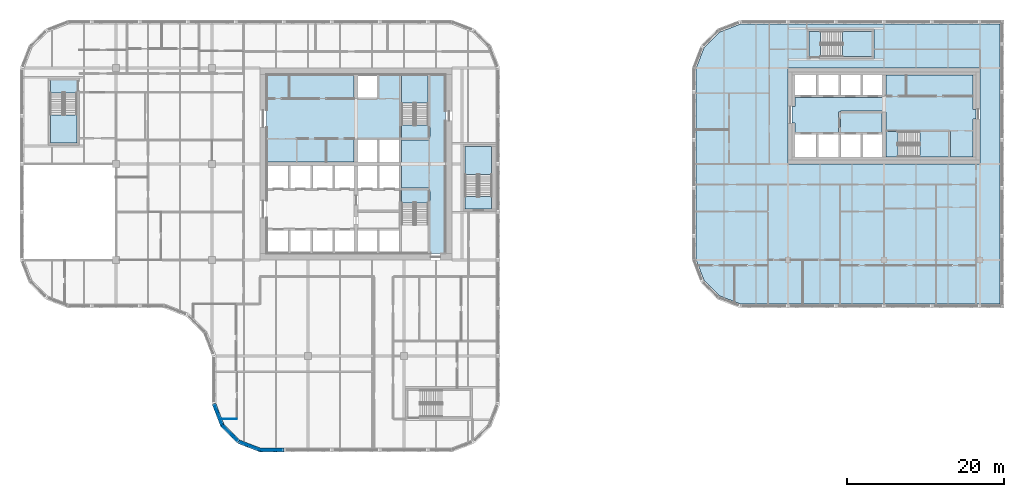
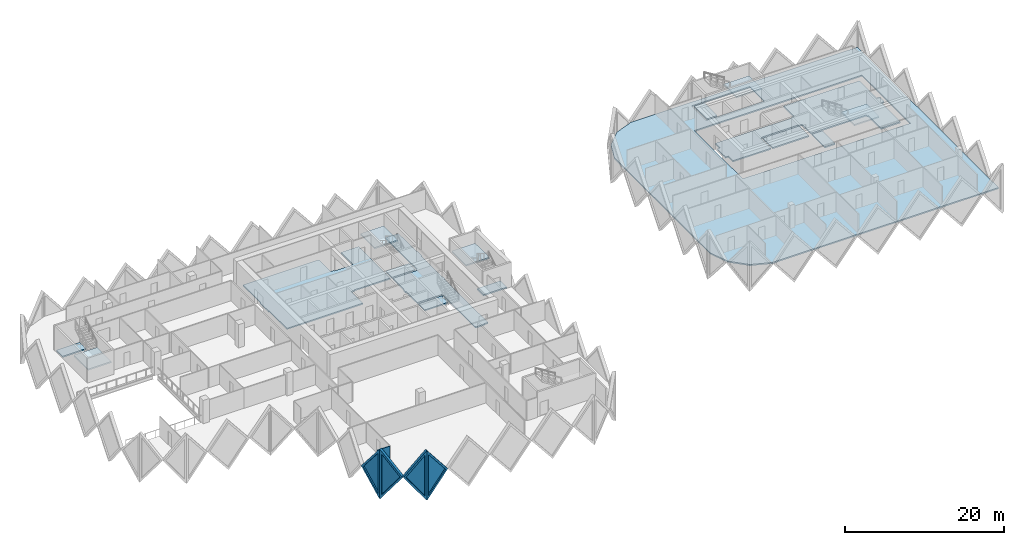
# One storey, part 3 of 18: 16 slabs, 5 walls, 4 plates, 4 openings, 5 elements without a shape of their own.
"""IFC4 building model written with IfcOpenShell, lengths in metres."""

from ifc_helpers import new_model, si_unit, direction, frame, frame_2d, origin, place, context, subcontext, project, spatial, polyline, rectangle, outline, extrude, faceted_brep, source, transform, mapped, material, layer, layer_set, type_object, element, fill, aggregate, save


model = new_model("IFC4")

# Units and contexts
model_context = context("Model", 3, precision=1e-05, world=origin(), true_north=direction((0.0, 1.0)))
body_context = subcontext(model_context, "Body", "Model", "MODEL_VIEW")
ifc_project = project(units=[si_unit("LENGTHUNIT", "METRE"), si_unit("AREAUNIT", "SQUARE_METRE"), si_unit("VOLUMEUNIT", "CUBIC_METRE"), si_unit("PLANEANGLEUNIT", "RADIAN"), si_unit("MASSUNIT", "GRAM", prefix="KILO")], contexts=[model_context])

# Site, building, storey
site_placement = place(None, origin())
site = spatial("IfcSite", under=ifc_project, at=site_placement, CompositionType="ELEMENT")
building_placement = place(site_placement, origin())
building = spatial("IfcBuilding", under=site, at=building_placement, Name="Tessera Gate Towers", CompositionType="ELEMENT")
storey_placement = place(building_placement, frame((0.0, 0.0, 99.0)))
storey = spatial("IfcBuildingStorey", under=building, at=storey_placement, Name="L24", CompositionType="ELEMENT", Elevation=99.0)

# Slabs
ifc_material_1 = material(Name="Concrete C35/45", Category="concrete")
ifc_layer_1 = layer(ifc_material_1, 0.199951171875)
ifc_layer_set_1 = layer_set([ifc_layer_1], Name="COMPOSITE FLOOR 200")
slab_type_1 = type_object("IfcSlabType", Name="COMPOSITE FLOOR 200", PredefinedType="FLOOR", material=ifc_layer_set_1)
slab_1_placement = place(storey_placement, frame((0.0, 0.0, -0.199951171875)))
element("IfcSlab", 1, at=slab_1_placement, inside=storey, type_object=slab_type_1, Name="T2-L24", PredefinedType="FLOOR", context=body_context, shape_type="SweptSolid", body=[
    extrude(outline(polyline([(85.89990234375, 24.4931640625), (86.926025390625, 21.8330078125), (88.93310546875, 19.826171875), (91.593017578125, 18.800048828125), (124.550048828125, 18.800048828125), (124.550048828125, 54.39990234375), (91.593017578125, 54.39990234375), (88.93310546875, 53.373779296875), (86.926025390625, 51.366943359375), (85.89990234375, 48.706787109375), (85.89990234375, 24.4931640625)]), holes=[polyline([(97.60009765625, 36.60009765625), (97.60009765625, 48.800048828125), (122.0, 48.800048828125), (122.0, 36.60009765625), (97.60009765625, 36.60009765625)]), polyline([(100.0, 50.0), (100.0, 53.699951171875), (108.5, 53.699951171875), (108.5, 50.0), (100.0, 50.0)])]), origin(), (0.0, 0.0, 1.0), 0.199951171875),
])
ifc_material_2 = material(Name="Concrete C35/45", Category="concrete")
ifc_layer_2 = layer(ifc_material_2, 0.199951171875)
ifc_layer_set_2 = layer_set([ifc_layer_2], Name="CORE FLOOR SLAB 200")
slab_type_2 = type_object("IfcSlabType", Name="CORE FLOOR SLAB 200", PredefinedType="FLOOR", material=ifc_layer_set_2)
slab_2_placement = place(storey_placement, frame((0.0, 0.0, -0.199951171875)))
element("IfcSlab", 2, at=slab_2_placement, inside=storey, type_object=slab_type_2, Name="L24 core floor slab", PredefinedType="FLOOR", context=body_context, shape_type="SweptSolid", body=[
    extrude(outline(polyline([(31.39990234375, 47.89990234375), (31.39990234375, 43.39990234375), (31.300048828125, 43.39990234375), (31.300048828125, 41.300048828125), (31.39990234375, 41.300048828125), (31.39990234375, 36.85009765625), (42.449951171875, 36.85009765625), (42.449951171875, 39.800048828125), (42.949951171875, 39.800048828125), (42.949951171875, 39.925048828125), (48.22509765625, 39.925048828125), (48.22509765625, 47.89990234375), (45.64990234375, 47.89990234375), (45.64990234375, 44.89990234375), (45.39990234375, 44.89990234375), (45.39990234375, 44.77490234375), (42.949951171875, 44.77490234375), (42.949951171875, 44.89990234375), (42.449951171875, 44.89990234375), (42.449951171875, 47.89990234375), (31.39990234375, 47.89990234375)])), origin(), (0.0, 0.0, 1.0), 0.199951171875),
])
slab_3_placement = place(storey_placement, frame((0.0, 0.0, -0.199951171875)))
element("IfcSlab", 3, at=slab_3_placement, inside=storey, type_object=slab_type_2, Name="L24 core floor slab", PredefinedType="FLOOR", context=body_context, shape_type="SweptSolid", body=[
    extrude(outline(polyline([(52.199951171875, 25.199951171875), (53.39990234375, 25.199951171875), (53.39990234375, 25.300048828125), (54.0, 25.300048828125), (54.0, 36.320068359375), (54.10009765625, 36.320068359375), (54.10009765625, 36.8798828125), (54.0, 36.8798828125), (54.0, 42.10009765625), (54.10009765625, 42.10009765625), (54.10009765625, 43.300048828125), (54.0, 43.300048828125), (54.0, 47.89990234375), (52.125, 47.89990234375), (52.125, 39.925048828125), (52.0, 39.925048828125), (52.0, 39.675048828125), (48.47509765625, 39.675048828125), (48.47509765625, 36.85009765625), (48.35009765625, 36.85009765625), (48.35009765625, 36.35009765625), (48.47509765625, 36.35009765625), (48.47509765625, 33.52490234375), (52.0, 33.52490234375), (52.0, 33.27490234375), (52.125, 33.27490234375), (52.125, 25.300048828125), (52.199951171875, 25.300048828125), (52.199951171875, 25.199951171875)])), origin(), (0.0, 0.0, 1.0), 0.199951171875),
])
slab_4_placement = place(storey_placement, frame((0.0, 0.0, -0.199951171875)))
element("IfcSlab", 4, at=slab_4_placement, inside=storey, type_object=slab_type_2, Name="L24 core floor slab", PredefinedType="FLOOR", context=body_context, shape_type="SweptSolid", body=[
    extrude(outline(polyline([(51.875, 31.675048828125), (51.875, 33.27490234375), (48.47509765625, 33.27490234375), (48.47509765625, 31.675048828125), (51.875, 31.675048828125)])), origin(), (0.0, 0.0, 1.0), 0.199951171875),
])
slab_5_placement = place(storey_placement, frame((0.0, 0.0, -0.199951171875)))
element("IfcSlab", 5, at=slab_5_placement, inside=storey, type_object=slab_type_2, Name="L24 core floor slab", PredefinedType="FLOOR", context=body_context, shape_type="SweptSolid", body=[
    extrude(outline(polyline([(48.47509765625, 41.52490234375), (48.47509765625, 39.925048828125), (51.875, 39.925048828125), (51.875, 41.52490234375), (48.47509765625, 41.52490234375)])), origin(), (0.0, 0.0, 1.0), 0.199951171875),
])
slab_6_placement = place(storey_placement, frame((0.0, 0.0, -0.199951171875)))
element("IfcSlab", 6, at=slab_6_placement, inside=storey, type_object=slab_type_2, Name="L24 ST3 floor landing", PredefinedType="FLOOR", context=body_context, shape_type="SweptSolid", body=[
    extrude(outline(polyline([(3.85009765625, 47.25), (3.85009765625, 45.64990234375), (7.25, 45.64990234375), (7.25, 47.25), (3.85009765625, 47.25)])), origin(), (0.0, 0.0, 1.0), 0.199951171875),
])
slab_7_placement = place(storey_placement, frame((0.0, 0.0, -0.199951171875)))
element("IfcSlab", 7, at=slab_7_placement, inside=storey, type_object=slab_type_2, Name="L24 ST5 floor landing", PredefinedType="FLOOR", context=body_context, shape_type="SweptSolid", body=[
    extrude(outline(polyline([(59.949951171875, 30.85009765625), (59.949951171875, 32.449951171875), (56.550048828125, 32.449951171875), (56.550048828125, 30.85009765625), (59.949951171875, 30.85009765625)])), origin(), (0.0, 0.0, 1.0), 0.199951171875),
])
slab_8_placement = place(storey_placement, frame((0.0, 0.0, -0.199951171875)))
element("IfcSlab", 8, at=slab_8_placement, inside=storey, type_object=slab_type_2, Name="L24 core floor slab", PredefinedType="FLOOR", context=body_context, shape_type="SweptSolid", body=[
    extrude(outline(polyline([(109.550048828125, 45.199951171875), (109.550048828125, 45.074951171875), (98.5, 45.074951171875), (98.5, 43.89990234375), (98.10009765625, 43.89990234375), (98.10009765625, 41.800048828125), (98.5, 41.800048828125), (98.5, 40.625), (104.02490234375, 40.625), (104.02490234375, 43.199951171875), (104.27490234375, 43.199951171875), (104.27490234375, 43.324951171875), (109.550048828125, 43.324951171875), (109.550048828125, 43.199951171875), (110.050048828125, 43.199951171875), (110.050048828125, 40.949951171875), (118.10009765625, 40.949951171875), (118.10009765625, 40.699951171875), (118.22509765625, 40.699951171875), (118.22509765625, 37.5), (121.10009765625, 37.5), (121.10009765625, 42.35009765625), (121.5, 42.35009765625), (121.5, 43.550048828125), (121.10009765625, 43.550048828125), (121.10009765625, 47.89990234375), (110.050048828125, 47.89990234375), (110.050048828125, 45.199951171875), (109.550048828125, 45.199951171875)])), origin(), (0.0, 0.0, 1.0), 0.199951171875),
])
slab_9_placement = place(storey_placement, frame((0.0, 0.0, -0.199951171875)))
element("IfcSlab", 9, at=slab_9_placement, inside=storey, type_object=slab_type_2, Name="L24 core floor slab", PredefinedType="FLOOR", context=body_context, shape_type="SweptSolid", body=[
    extrude(outline(polyline([(109.550048828125, 43.074951171875), (104.27490234375, 43.074951171875), (104.27490234375, 40.625), (109.550048828125, 40.625), (109.550048828125, 43.074951171875)])), origin(), (0.0, 0.0, 1.0), 0.199951171875),
])
slab_10_placement = place(storey_placement, frame((0.0, 0.0, -0.199951171875)))
element("IfcSlab", 10, at=slab_10_placement, inside=storey, type_object=slab_type_2, Name="L24 core floor slab", PredefinedType="FLOOR", context=body_context, shape_type="SweptSolid", body=[
    extrude(outline(polyline([(111.550048828125, 37.5), (111.550048828125, 40.699951171875), (110.050048828125, 40.699951171875), (110.050048828125, 37.5), (111.550048828125, 37.5)])), origin(), (0.0, 0.0, 1.0), 0.199951171875),
])
slab_11_placement = place(storey_placement, frame((0.0, 0.0, -0.199951171875)))
element("IfcSlab", 11, at=slab_11_placement, inside=storey, type_object=slab_type_2, Name="L24 ST7 floor landing", PredefinedType="FLOOR", context=body_context, shape_type="SweptSolid", body=[
    extrude(outline(polyline([(100.25, 50.25), (101.75, 50.25), (101.75, 53.449951171875), (100.25, 53.449951171875), (100.25, 50.25)])), origin(), (0.0, 0.0, 1.0), 0.199951171875),
])

# Stair, slab
ifc_material_3 = material(Name="Concrete C40/50", Category="concrete")
stair_type_1 = type_object("IfcStairType", Name="EXIT STAIR ST2 1600", PredefinedType="HALF_TURN_STAIR", material=ifc_material_3)
stair_1_placement = place(storey_placement, origin())
stair_1 = element("IfcStair", 12, at=stair_1_placement, inside=storey, type_object=stair_type_1, Name="L24 Protected Exit Stair ST2", PredefinedType="HALF_TURN_STAIR")
ifc_material_4 = material(Name="Concrete C40/50", Category="concrete")
ifc_layer_3 = layer(ifc_material_4, 0.199951171875)
ifc_layer_set_3 = layer_set([ifc_layer_3], Name="EXIT STAIR LANDING 200")
slab_type_3 = type_object("IfcSlabType", Name="EXIT STAIR LANDING 200", PredefinedType="LANDING", material=ifc_layer_set_3)
slab_12_placement = place(storey_placement, frame((0.0, 0.0, 1.699951171875)))
slab_12 = element("IfcSlab", 13, at=slab_12_placement, type_object=slab_type_3, Name="ST2 landing 1", PredefinedType="LANDING", context=body_context, shape_type="SweptSolid", body=[
    extrude(outline(polyline([(51.875, 44.324951171875), (51.875, 47.89990234375), (48.47509765625, 47.89990234375), (48.47509765625, 44.324951171875), (51.875, 44.324951171875)])), origin(), (0.0, 0.0, 1.0), 0.199951171875),
])
aggregate(stair_1, [slab_12])

ifc_material_5 = material(Name="Concrete C40/50", Category="concrete")
stair_type_2 = type_object("IfcStairType", Name="EXIT STAIR ST3 1600", PredefinedType="HALF_TURN_STAIR", material=ifc_material_5)
stair_2_placement = place(storey_placement, origin())
stair_2 = element("IfcStair", 14, at=stair_2_placement, inside=storey, type_object=stair_type_2, Name="L24 West Exit Stair ST3", PredefinedType="HALF_TURN_STAIR")
slab_13_placement = place(storey_placement, frame((0.0, 0.0, 1.699951171875)))
slab_13 = element("IfcSlab", 15, at=slab_13_placement, type_object=slab_type_3, Name="ST3 landing 1", PredefinedType="LANDING", context=body_context, shape_type="SweptSolid", body=[
    extrude(outline(polyline([(3.85009765625, 42.85009765625), (3.85009765625, 39.25), (7.25, 39.25), (7.25, 42.85009765625), (3.85009765625, 42.85009765625)])), origin(), (0.0, 0.0, 1.0), 0.199951171875),
])
aggregate(stair_2, [slab_13])

ifc_material_6 = material(Name="Concrete C40/50", Category="concrete")
stair_type_3 = type_object("IfcStairType", Name="EXIT STAIR ST5 1600", PredefinedType="HALF_TURN_STAIR", material=ifc_material_6)
stair_3_placement = place(storey_placement, origin())
stair_3 = element("IfcStair", 16, at=stair_3_placement, inside=storey, type_object=stair_type_3, Name="L24 East Exit Stair ST5", PredefinedType="HALF_TURN_STAIR")
slab_14_placement = place(storey_placement, frame((0.0, 0.0, 1.699951171875)))
slab_14 = element("IfcSlab", 17, at=slab_14_placement, type_object=slab_type_3, Name="ST5 landing 1", PredefinedType="LANDING", context=body_context, shape_type="SweptSolid", body=[
    extrude(outline(polyline([(59.949951171875, 35.25), (59.949951171875, 38.85009765625), (56.550048828125, 38.85009765625), (56.550048828125, 35.25), (59.949951171875, 35.25)])), origin(), (0.0, 0.0, 1.0), 0.199951171875),
])
aggregate(stair_3, [slab_14])

ifc_material_7 = material(Name="Concrete C40/50", Category="concrete")
stair_type_4 = type_object("IfcStairType", Name="EXIT STAIR ST6 1500", PredefinedType="HALF_TURN_STAIR", material=ifc_material_7)
stair_4_placement = place(storey_placement, origin())
stair_4 = element("IfcStair", 18, at=stair_4_placement, inside=storey, type_object=stair_type_4, Name="L24 Protected Exit Stair ST6", PredefinedType="HALF_TURN_STAIR")
slab_15_placement = place(storey_placement, frame((0.0, 0.0, 1.699951171875)))
slab_15 = element("IfcSlab", 19, at=slab_15_placement, type_object=slab_type_3, Name="ST6 landing 1", PredefinedType="LANDING", context=body_context, shape_type="SweptSolid", body=[
    extrude(outline(polyline([(114.35009765625, 37.5), (117.97509765625, 37.5), (117.97509765625, 40.699951171875), (114.35009765625, 40.699951171875), (114.35009765625, 37.5)])), origin(), (0.0, 0.0, 1.0), 0.199951171875),
])
aggregate(stair_4, [slab_15])

ifc_material_8 = material(Name="Concrete C40/50", Category="concrete")
stair_type_5 = type_object("IfcStairType", Name="EXIT STAIR ST7 1500", PredefinedType="HALF_TURN_STAIR", material=ifc_material_8)
stair_5_placement = place(storey_placement, origin())
stair_5 = element("IfcStair", 20, at=stair_5_placement, inside=storey, type_object=stair_type_5, Name="L24 North Exit Stair ST7", PredefinedType="HALF_TURN_STAIR")
slab_16_placement = place(storey_placement, frame((0.0, 0.0, 1.699951171875)))
slab_16 = element("IfcSlab", 21, at=slab_16_placement, type_object=slab_type_3, Name="ST7 landing 1", PredefinedType="LANDING", context=body_context, shape_type="SweptSolid", body=[
    extrude(outline(polyline([(104.550048828125, 50.25), (108.25, 50.25), (108.25, 53.449951171875), (104.550048828125, 53.449951171875), (104.550048828125, 50.25)])), origin(), (0.0, 0.0, 1.0), 0.199951171875),
])
aggregate(stair_5, [slab_16])

# Wall
ifc_material_9 = material(Name="Glass", Category="glass")
ifc_layer_4 = layer(ifc_material_9, 0.10009765625)
ifc_layer_set_4 = layer_set([ifc_layer_4], Name="GLAZED PARTITION 100")
wall_type_1 = type_object("IfcWallType", Name="GLAZED PARTITION 100", PredefinedType="PARTITIONING", material=ifc_layer_set_4)
wall_1_placement = place(storey_placement, frame((25.668701171875, 4.199951171875, 0.0), z_axis=(0.0, 0.0, 1.0), x_axis=(1.0, 0.0, 0.0)))
element("IfcWall", 22, at=wall_1_placement, inside=storey, type_object=wall_type_1, Name="T1-L24-PW-003", PredefinedType="PARTITIONING", context=body_context, shape_type="SweptSolid", body=[
    extrude(rectangle(XDim=1.855224609375, YDim=0.10009765625, at=frame_2d((0.927734375, 0.0))), origin(), (0.0, 0.0, 1.0), 3.06689453125),
])

# Wall, opening, plate
ifc_material_10 = material(Name="Precast concrete C60/75 white", Category="concrete")
ifc_layer_5 = layer(ifc_material_10, 0.5)
ifc_layer_set_5 = layer_set([ifc_layer_5], Name="TS3 corner tessera")
wall_type_2 = type_object("IfcWallType", Name="TS3 corner tessera", PredefinedType="SOLIDWALL", material=ifc_layer_set_5)
shared_shape_1 = source(origin(), body_context, "Body", "Brep", [
    faceted_brep([(2.950439453125, -0.25, 0.0), (3.00341796875, -0.25, 0.068359375), (3.00341796875, -0.25, 7.53173828125), (2.950439453125, -0.25, 7.60009765625), (0.0, -0.25, 3.800048828125), (0.046630859375, 0.25, 3.860107421875), (2.897705078125, 0.25, 7.531982421875), (2.897705078125, 0.25, 0.068115234375), (0.046630859375, 0.25, 3.739990234375), (2.950439453125, 0.00048828125, 0.0), (2.950439453125, 0.00048828125, 7.60009765625), (0.0, 0.0, 3.800048828125)], [[[0, 1, 2, 3, 4]], [[5, 6, 7, 8]], [[1, 0, 9]], [[10, 3, 2]], [[6, 5, 11, 4, 3, 10]], [[8, 7, 9, 0, 4, 11]], [[8, 11, 5]], [[1, 9, 7, 6, 10, 2]]]),
])
wall_2_placement = place(storey_placement, frame((24.64990234375, 6.146484375, -3.800048828125), z_axis=(0.0, 0.0, 1.0), x_axis=(0.359953949349, -0.932970071518, 0.0)))
wall_2 = element("IfcWall", 23, at=wall_2_placement, inside=storey, type_object=wall_type_2, Name="Precast corner tessera T1 TS3-0551", PredefinedType="SOLIDWALL", context=body_context, shape_type="MappedRepresentation", body=[
    mapped(shared_shape_1, transform((0.0, 0.0, 0.0), scale=1.0)),
])
shared_shape_2 = source(origin(), body_context, "Body", "SweptSolid", [
    extrude(outline(polyline([(2.75048828125, 6.934814453125), (0.31640625, 3.800048828125), (2.75048828125, 0.665283203125), (2.75048828125, 6.934814453125)])), frame((0.0, 0.260009765625, 0.0), z_axis=(0.0, -1.0, 0.0), x_axis=(1.0, 0.0, 0.0)), (0.0, 0.0, 1.0), 0.52001953125),
])
opening_1_placement = place(wall_2_placement, origin())
opening_1 = element("IfcOpeningElement", 24, at=opening_1_placement, cuts=wall_2, Name="Opening T1-PL2-0844", PredefinedType="OPENING", context=body_context, shape_type="MappedRepresentation", body=[
    mapped(shared_shape_2, transform((0.0, 0.0, 0.0), scale=1.0)),
])
ifc_material_11 = material(Name="Low-e laminated glass", Category="glass")
ifc_layer_6 = layer(ifc_material_11, 0.06005859375)
ifc_layer_set_6 = layer_set([ifc_layer_6], Name="PL2 rhombic pane")
plate_type = type_object("IfcPlateType", Name="PL2 rhombic pane", PredefinedType="SHEET", material=ifc_layer_set_6)
shared_shape_3 = source(origin(), body_context, "Body", "SweptSolid", [
    extrude(outline(polyline([(2.75048828125, 6.934814453125), (0.31640625, 3.800048828125), (2.75048828125, 0.665283203125), (2.75048828125, 6.934814453125)])), frame((0.0, 0.030029296875, 0.0), z_axis=(0.0, -1.0, 0.0), x_axis=(1.0, 0.0, 0.0)), (0.0, 0.0, 1.0), 0.06005859375),
])
plate_1_placement = place(opening_1_placement, origin())
plate_1 = element("IfcPlate", 25, at=plate_1_placement, inside=storey, type_object=plate_type, Name="Glass pane T1 PL2-0844", PredefinedType="SHEET", context=body_context, shape_type="MappedRepresentation", body=[
    mapped(shared_shape_3, transform((0.0, 0.0, 0.0), scale=1.0)),
])
fill(opening_1, plate_1)

shared_shape_4 = source(origin(), body_context, "Body", "Brep", [
    faceted_brep([(0.046630859375, -0.25, 0.0), (3.050048828125, -0.25, 3.800048828125), (0.046630859375, -0.25, 7.60009765625), (0.0, -0.25, 7.5400390625), (0.0, -0.25, 0.06005859375), (0.09326171875, 0.25, 7.541259765625), (3.050048828125, 0.25, 3.800048828125), (0.09326171875, 0.25, 0.058837890625), (0.046630859375, 0.0, 0.0), (0.046630859375, 0.0, 7.60009765625)], [[[0, 1, 2, 3, 4]], [[5, 6, 7]], [[7, 6, 1, 0, 8]], [[6, 5, 9, 2, 1]], [[3, 2, 9]], [[8, 0, 4]], [[7, 8, 4, 3, 9, 5]]]),
])
wall_3_placement = place(storey_placement, frame((30.5, 0.25, -3.800048828125), z_axis=(0.0, 0.0, 1.0), x_axis=(1.0, 0.0, 0.0)))
wall_3 = element("IfcWall", 26, at=wall_3_placement, inside=storey, type_object=wall_type_2, Name="Precast corner tessera T1 TS3-0529", PredefinedType="SOLIDWALL", context=body_context, shape_type="MappedRepresentation", body=[
    mapped(shared_shape_4, transform((0.0, 0.0, 0.0), scale=1.0)),
])
shared_shape_5 = source(origin(), body_context, "Body", "SweptSolid", [
    extrude(outline(polyline([(0.24658203125, 0.65625), (2.7314453125, 3.800048828125), (0.24658203125, 6.94384765625), (0.24658203125, 0.65625)])), frame((0.0, 0.260009765625, 0.0), z_axis=(0.0, -1.0, 0.0), x_axis=(1.0, 0.0, 0.0)), (0.0, 0.0, 1.0), 0.52001953125),
])
opening_2_placement = place(wall_3_placement, origin())
opening_2 = element("IfcOpeningElement", 27, at=opening_2_placement, cuts=wall_3, Name="Opening T1-PL2-0799", PredefinedType="OPENING", context=body_context, shape_type="MappedRepresentation", body=[
    mapped(shared_shape_5, transform((0.0, 0.0, 0.0), scale=1.0)),
])
shared_shape_6 = source(origin(), body_context, "Body", "SweptSolid", [
    extrude(outline(polyline([(0.24658203125, 0.65625), (2.7314453125, 3.800048828125), (0.24658203125, 6.94384765625), (0.24658203125, 0.65625)])), frame((0.0, 0.030029296875, 0.0), z_axis=(0.0, -1.0, 0.0), x_axis=(1.0, 0.0, 0.0)), (0.0, 0.0, 1.0), 0.06005859375),
])
plate_2_placement = place(opening_2_placement, origin())
plate_2 = element("IfcPlate", 28, at=plate_2_placement, inside=storey, type_object=plate_type, Name="Glass pane T1 PL2-0799", PredefinedType="SHEET", context=body_context, shape_type="MappedRepresentation", body=[
    mapped(shared_shape_6, transform((0.0, 0.0, 0.0), scale=1.0)),
])
fill(opening_2, plate_2)

shared_shape_7 = source(origin(), body_context, "Body", "Brep", [
    faceted_brep([(0.052978515625, -0.25, 0.0), (2.9970703125, -0.25, 3.800048828125), (0.052978515625, -0.25, 7.60009765625), (0.0, -0.25, 7.531982421875), (0.0, -0.25, 0.068115234375), (0.10595703125, 0.25, 7.53173828125), (2.944091796875, 0.25, 3.8681640625), (2.944091796875, 0.25, 3.73193359375), (0.10595703125, 0.25, 0.068359375), (2.9970703125, 0.000244140625, 3.800048828125), (0.052978515625, 0.0, 0.0), (0.052978515625, 0.0, 7.60009765625)], [[[0, 1, 2, 3, 4]], [[5, 6, 7, 8]], [[8, 7, 9, 1, 0, 10]], [[6, 5, 11, 2, 1, 9]], [[3, 2, 11]], [[10, 0, 4]], [[8, 10, 4, 3, 11, 5]], [[9, 7, 6]]]),
])
wall_4_placement = place(storey_placement, frame((25.674560546875, 3.43115234375, -3.800048828125), z_axis=(0.0, 0.0, 1.0), x_axis=(0.707106781187, -0.707106781187, 0.0)))
wall_4 = element("IfcWall", 29, at=wall_4_placement, inside=storey, type_object=wall_type_2, Name="Precast corner tessera T1 TS3-0552", PredefinedType="SOLIDWALL", context=body_context, shape_type="MappedRepresentation", body=[
    mapped(shared_shape_7, transform((0.0, 0.0, 0.0), scale=1.0)),
])
shared_shape_8 = source(origin(), body_context, "Body", "SweptSolid", [
    extrude(outline(polyline([(0.2529296875, 0.666259765625), (2.680908203125, 3.800048828125), (0.2529296875, 6.933837890625), (0.2529296875, 0.666259765625)])), frame((0.0, 0.260009765625, 0.0), z_axis=(0.0, -1.0, 0.0), x_axis=(1.0, 0.0, 0.0)), (0.0, 0.0, 1.0), 0.52001953125),
])
opening_3_placement = place(wall_4_placement, origin())
opening_3 = element("IfcOpeningElement", 30, at=opening_3_placement, cuts=wall_4, Name="Opening T1-PL2-0845", PredefinedType="OPENING", context=body_context, shape_type="MappedRepresentation", body=[
    mapped(shared_shape_8, transform((0.0, 0.0, 0.0), scale=1.0)),
])
shared_shape_9 = source(origin(), body_context, "Body", "SweptSolid", [
    extrude(outline(polyline([(0.2529296875, 0.666259765625), (2.680908203125, 3.800048828125), (0.2529296875, 6.933837890625), (0.2529296875, 0.666259765625)])), frame((0.0, 0.030029296875, 0.0), z_axis=(0.0, -1.0, 0.0), x_axis=(1.0, 0.0, 0.0)), (0.0, 0.0, 1.0), 0.06005859375),
])
plate_3_placement = place(opening_3_placement, origin())
plate_3 = element("IfcPlate", 31, at=plate_3_placement, inside=storey, type_object=plate_type, Name="Glass pane T1 PL2-0845", PredefinedType="SHEET", context=body_context, shape_type="MappedRepresentation", body=[
    mapped(shared_shape_9, transform((0.0, 0.0, 0.0), scale=1.0)),
])
fill(opening_3, plate_3)

shared_shape_10 = source(origin(), body_context, "Body", "Brep", [
    faceted_brep([(2.950439453125, -0.25, 0.0), (2.9970703125, -0.25, 0.05908203125), (2.9970703125, -0.25, 7.541015625), (2.950439453125, -0.25, 7.60009765625), (0.0, -0.25, 3.800048828125), (0.052978515625, 0.25, 3.8681640625), (2.904052734375, 0.25, 7.540283203125), (2.904052734375, 0.25, 0.059814453125), (0.052978515625, 0.25, 3.73193359375), (2.950439453125, 0.00048828125, 0.0), (2.950439453125, 0.00048828125, 7.60009765625), (0.0, 0.0, 3.800048828125)], [[[0, 1, 2, 3, 4]], [[5, 6, 7, 8]], [[1, 0, 9]], [[10, 3, 2]], [[6, 5, 11, 4, 3, 10]], [[8, 7, 9, 0, 4, 11]], [[8, 11, 5]], [[1, 9, 7, 6, 10, 2]]]),
])
wall_5_placement = place(storey_placement, frame((27.793701171875, 1.31201171875, -3.800048828125), z_axis=(0.0, 0.0, 1.0), x_axis=(0.932973525033, -0.359944998003, 0.0)))
wall_5 = element("IfcWall", 32, at=wall_5_placement, inside=storey, type_object=wall_type_2, Name="Precast corner tessera T1 TS3-0530", PredefinedType="SOLIDWALL", context=body_context, shape_type="MappedRepresentation", body=[
    mapped(shared_shape_10, transform((0.0, 0.0, 0.0), scale=1.0)),
])
opening_4_placement = place(wall_5_placement, origin())
opening_4 = element("IfcOpeningElement", 33, at=opening_4_placement, cuts=wall_5, Name="Opening T1-PL2-0800", PredefinedType="OPENING", context=body_context, shape_type="MappedRepresentation", body=[
    mapped(shared_shape_2, transform((0.0, 0.0, 0.0), scale=1.0)),
])
plate_4_placement = place(opening_4_placement, origin())
plate_4 = element("IfcPlate", 34, at=plate_4_placement, inside=storey, type_object=plate_type, Name="Glass pane T1 PL2-0800", PredefinedType="SHEET", context=body_context, shape_type="MappedRepresentation", body=[
    mapped(shared_shape_3, transform((0.0, 0.0, 0.0), scale=1.0)),
])
fill(opening_4, plate_4)

save(model, "model.ifc")
